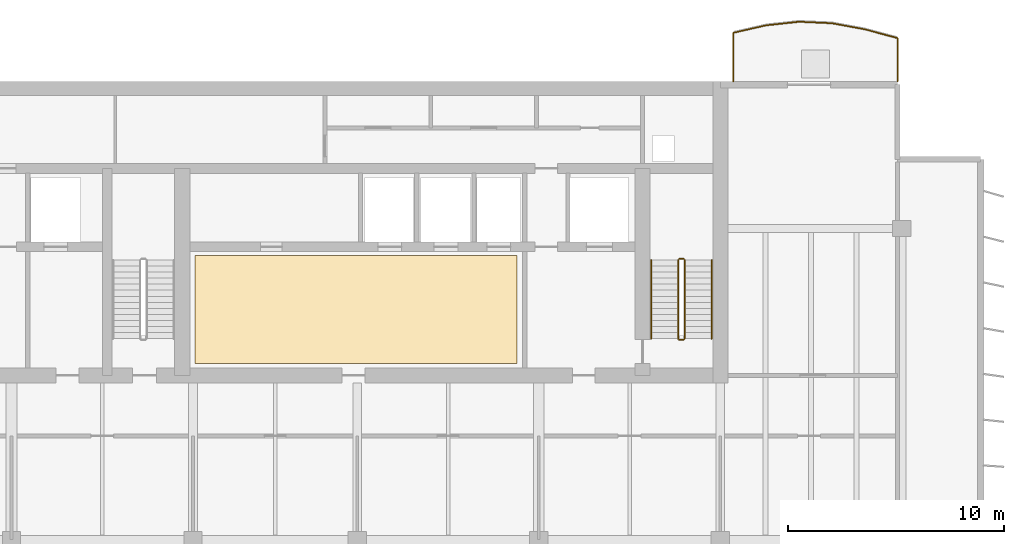
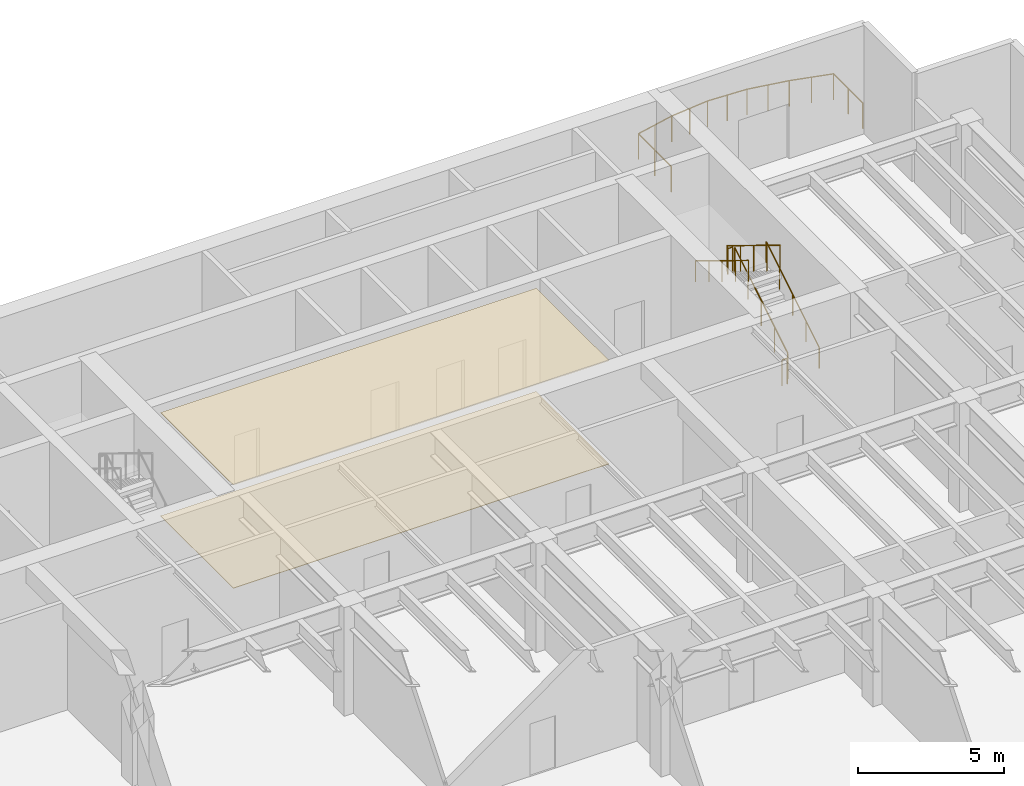
# One storey, part 14 of 15: 7 railings, 2 coverings.
"""IFC4 building model written with IfcOpenShell, lengths in metres."""

from ifc_helpers import new_model, si_unit, direction, frame, origin, origin_2d, place, context, subcontext, project, spatial, polyline, circle, outline, extrude, material, layer, layer_set, type_object, element, save


model = new_model("IFC4")

# Units and contexts
model_context = context("Model", 3, precision=1e-05, world=origin(), true_north=direction((0.0, 1.0)))
body_context = subcontext(model_context, "Body", "Model", "MODEL_VIEW")
ifc_project = project(units=[si_unit("LENGTHUNIT", "METRE"), si_unit("AREAUNIT", "SQUARE_METRE"), si_unit("VOLUMEUNIT", "CUBIC_METRE"), si_unit("PLANEANGLEUNIT", "RADIAN"), si_unit("MASSUNIT", "GRAM", prefix="KILO")], contexts=[model_context])

# Site, building, storey
site_placement = place(None, origin())
site = spatial("IfcSite", under=ifc_project, at=site_placement, CompositionType="ELEMENT")
building_placement = place(site_placement, origin())
building = spatial("IfcBuilding", under=site, at=building_placement, Name="Caelmar Bay Residences", CompositionType="ELEMENT")
storey_placement = place(building_placement, frame((0.0, 0.0, 183.60009765625)))
storey = spatial("IfcBuildingStorey", under=building, at=storey_placement, Name="L51", CompositionType="ELEMENT", Elevation=183.60009765625)

# Coverings
ifc_material_1 = material(Name="Perforated acoustic gypsum-mineral ceiling tile 20 mm")
ifc_layer_1 = layer(ifc_material_1, 0.02001953125)
ifc_layer_set_1 = layer_set([ifc_layer_1], Name="Perforated acoustic gypsum-mineral ceiling tile 20 mm")
covering_type_1 = type_object("IfcCoveringType", Name="COV-CEIL-20", PredefinedType="CEILING", material=ifc_layer_set_1)
covering_1_placement = place(storey_placement, frame((0.0, 0.0, 4.329833984375)))
element("IfcCovering", 1, at=covering_1_placement, inside=storey, type_object=covering_type_1, Name="L51 Lift Lobby Acoustic Ceiling", PredefinedType="CEILING", context=body_context, shape_type="SweptSolid", body=[
    extrude(outline(polyline([(35.199951171875, 37.550048828125), (50.10009765625, 37.550048828125), (50.10009765625, 42.550048828125), (35.199951171875, 42.550048828125), (35.199951171875, 37.550048828125)])), origin(), (0.0, 0.0, 1.0), 0.02001953125),
])
ifc_material_2 = material(Name="Honed terrazzo and engineered white-oak flooring 20 mm")
ifc_layer_2 = layer(ifc_material_2, 0.02001953125)
ifc_layer_set_2 = layer_set([ifc_layer_2], Name="Honed terrazzo and engineered white-oak flooring 20 mm")
covering_type_2 = type_object("IfcCoveringType", Name="COV-FLR-20", PredefinedType="FLOORING", material=ifc_layer_set_2)
covering_2_placement = place(storey_placement, origin())
element("IfcCovering", 2, at=covering_2_placement, inside=storey, type_object=covering_type_2, Name="L51 Lift Lobby Terrazzo Flooring", PredefinedType="FLOORING", context=body_context, shape_type="SweptSolid", body=[
    extrude(outline(polyline([(35.199951171875, 37.550048828125), (50.10009765625, 37.550048828125), (50.10009765625, 42.550048828125), (35.199951171875, 42.550048828125), (35.199951171875, 37.550048828125)])), origin(), (0.0, 0.0, 1.0), 0.02001953125),
])

# Railings
ifc_material_3 = material(Name="Anodised bronze handrail with laminated hurricane glass infill", Category="glass")
railing_type_1 = type_object("IfcRailingType", Name="RL-BAL-1100", PredefinedType="BALUSTRADE", material=ifc_material_3)
railing_1_placement = place(storey_placement, frame((67.699951171875, 50.60009765625, 0.0)))
element("IfcRailing", 3, at=railing_1_placement, inside=storey, type_object=railing_type_1, Name="L51 north_east Balcony Balustrade", PredefinedType="BALUSTRADE", context=body_context, shape_type="SweptSolid", body=[
    extrude(circle(Radius=0.02392578125, at=origin_2d()), frame((0.0, 0.0, 1.076171875), z_axis=(0.0, 1.0, 0.0), x_axis=(-1.0, 0.0, 0.0)), (0.0, 0.0, 1.0), 2.0087890625),
    extrude(circle(Radius=0.02392578125, at=origin_2d()), frame((0.0, 2.0087890625, 1.076171875), z_axis=(-0.966206600501, 0.25776889872, 0.0), x_axis=(-0.25776889872, -0.966206600501, 0.0)), (0.0, 0.0, 1.0), 1.5732421875),
    extrude(circle(Radius=0.02392578125, at=origin_2d()), frame((-1.52001953125, 2.414306640625, 1.076171875), z_axis=(-0.983309224326, 0.181942214331, 0.0), x_axis=(-0.181942214331, -0.983309224326, 0.0)), (0.0, 0.0, 1.0), 1.5458984375),
    extrude(circle(Radius=0.02392578125, at=origin_2d()), frame((-3.0400390625, 2.695556640625, 1.076171875), z_axis=(-0.998975805625, 0.045247538899, 0.0), x_axis=(-0.045247538899, -0.998975805625, 0.0)), (0.0, 0.0, 1.0), 1.521484375),
    extrude(circle(Radius=0.02392578125, at=origin_2d()), frame((-4.56005859375, 2.764404296875, 1.076171875), z_axis=(-0.994138121061, -0.108117511319, 0.0), x_axis=(0.108117511319, -0.994138121061, 0.0)), (0.0, 0.0, 1.0), 1.52880859375),
    extrude(circle(Radius=0.02392578125, at=origin_2d()), frame((-6.079833984375, 2.59912109375, 1.076171875), z_axis=(-0.974861421848, -0.222812046786, 0.0), x_axis=(0.222812046786, -0.974861421848, 0.0)), (0.0, 0.0, 1.0), 1.559326171875),
    extrude(circle(Radius=0.02392578125, at=origin_2d()), frame((-7.599853515625, 2.251708984375, 1.076171875), z_axis=(0.0, -1.0, 0.0), x_axis=(1.0, 0.0, 0.0)), (0.0, 0.0, 1.0), 2.251708984375),
    extrude(circle(Radius=0.02099609375, at=origin_2d()), origin(), (0.0, 0.0, 1.0), 1.052001953125),
    extrude(circle(Radius=0.02099609375, at=origin_2d()), frame((0.0, 1.00439453125, 0.0)), (0.0, 0.0, 1.0), 1.052001953125),
    extrude(circle(Radius=0.02099609375, at=origin_2d()), frame((0.0, 2.0087890625, 0.0)), (0.0, 0.0, 1.0), 1.052001953125),
    extrude(circle(Radius=0.02099609375, at=origin_2d()), frame((-0.760009765625, 2.21142578125, 0.0)), (0.0, 0.0, 1.0), 1.052001953125),
    extrude(circle(Radius=0.02099609375, at=origin_2d()), frame((-1.52001953125, 2.414306640625, 0.0)), (0.0, 0.0, 1.0), 1.052001953125),
    extrude(circle(Radius=0.02099609375, at=origin_2d()), frame((-2.280029296875, 2.554931640625, 0.0)), (0.0, 0.0, 1.0), 1.052001953125),
    extrude(circle(Radius=0.02099609375, at=origin_2d()), frame((-3.0400390625, 2.695556640625, 0.0)), (0.0, 0.0, 1.0), 1.052001953125),
    extrude(circle(Radius=0.02099609375, at=origin_2d()), frame((-3.800048828125, 2.72998046875, 0.0)), (0.0, 0.0, 1.0), 1.052001953125),
    extrude(circle(Radius=0.02099609375, at=origin_2d()), frame((-4.56005859375, 2.764404296875, 0.0)), (0.0, 0.0, 1.0), 1.052001953125),
    extrude(circle(Radius=0.02099609375, at=origin_2d()), frame((-5.31982421875, 2.681640625, 0.0)), (0.0, 0.0, 1.0), 1.052001953125),
    extrude(circle(Radius=0.02099609375, at=origin_2d()), frame((-6.079833984375, 2.59912109375, 0.0)), (0.0, 0.0, 1.0), 1.052001953125),
    extrude(circle(Radius=0.02099609375, at=origin_2d()), frame((-6.83984375, 2.42529296875, 0.0)), (0.0, 0.0, 1.0), 1.052001953125),
    extrude(circle(Radius=0.02099609375, at=origin_2d()), frame((-7.599853515625, 2.251708984375, 0.0)), (0.0, 0.0, 1.0), 1.052001953125),
    extrude(circle(Radius=0.02099609375, at=origin_2d()), frame((-7.599853515625, 1.1259765625, 0.0)), (0.0, 0.0, 1.0), 1.052001953125),
    extrude(circle(Radius=0.02099609375, at=origin_2d()), frame((-7.599853515625, 0.0, 0.0)), (0.0, 0.0, 1.0), 1.052001953125),
])
ifc_material_4 = material(Name="Painted galvanized steel stair guard 1100 mm", Category="steel")
railing_type_2 = type_object("IfcRailingType", Name="RL-GRD-1100", PredefinedType="GUARDRAIL", material=ifc_material_4)
railing_2_placement = place(storey_placement, frame((57.85009765625, 38.699951171875, 0.17138671875)))
element("IfcRailing", 4, at=railing_2_placement, inside=storey, type_object=railing_type_2, Name="L51 ST2 stair guard 1", PredefinedType="GUARDRAIL", context=body_context, shape_type="SweptSolid", body=[
    extrude(circle(Radius=0.02392578125, at=origin_2d()), frame((0.0, 0.0, 1.076171875), z_axis=(0.0, 0.852865859571, 0.52213008492), x_axis=(-1.0, 0.0, 0.0)), (0.0, 0.0, 1.0), 4.26806640625),
    extrude(circle(Radius=0.02099609375, at=origin_2d()), origin(), (0.0, 0.0, 1.0), 1.052001953125),
    extrude(circle(Radius=0.02099609375, at=origin_2d()), frame((0.0, 0.91015625, 0.55712890625)), (0.0, 0.0, 1.0), 1.052001953125),
    extrude(circle(Radius=0.02099609375, at=origin_2d()), frame((0.0, 1.820068359375, 1.1142578125)), (0.0, 0.0, 1.0), 1.052001953125),
    extrude(circle(Radius=0.02099609375, at=origin_2d()), frame((0.0, 2.72998046875, 1.67138671875)), (0.0, 0.0, 1.0), 1.052001953125),
    extrude(circle(Radius=0.02099609375, at=origin_2d()), frame((0.0, 3.64013671875, 2.228515625)), (0.0, 0.0, 1.0), 1.052001953125),
])
railing_3_placement = place(storey_placement, frame((57.800048828125, 42.389892578125, 2.39990234375)))
element("IfcRailing", 5, at=railing_3_placement, inside=storey, type_object=railing_type_2, Name="L51 ST2 stair guard 2", PredefinedType="GUARDRAIL", context=body_context, shape_type="SweptSolid", body=[
    extrude(circle(Radius=0.02392578125, at=origin_2d()), frame((0.0, 0.0, 1.076171875), z_axis=(-1.0, 0.0, 0.0), x_axis=(0.0, -1.0, 0.0)), (0.0, 0.0, 1.0), 0.199951171875),
    extrude(circle(Radius=0.02099609375, at=origin_2d()), origin(), (0.0, 0.0, 1.0), 1.052001953125),
    extrude(circle(Radius=0.02099609375, at=origin_2d()), frame((-0.199951171875, 0.0, 0.0)), (0.0, 0.0, 1.0), 1.052001953125),
])
railing_4_placement = place(storey_placement, frame((57.550048828125, 42.340087890625, 2.5712890625)))
element("IfcRailing", 6, at=railing_4_placement, inside=storey, type_object=railing_type_2, Name="L51 ST2 stair guard 3", PredefinedType="GUARDRAIL", context=body_context, shape_type="SweptSolid", body=[
    extrude(circle(Radius=0.02392578125, at=origin_2d()), frame((0.0, 0.0, 1.076171875), z_axis=(0.0, -0.852865859571, 0.52213008492), x_axis=(1.0, 0.0, 0.0)), (0.0, 0.0, 1.0), 4.26806640625),
    extrude(circle(Radius=0.02099609375, at=origin_2d()), origin(), (0.0, 0.0, 1.0), 1.052001953125),
    extrude(circle(Radius=0.02099609375, at=origin_2d()), frame((0.0, -0.91015625, 0.55712890625)), (0.0, 0.0, 1.0), 1.052001953125),
    extrude(circle(Radius=0.02099609375, at=origin_2d()), frame((0.0, -1.820068359375, 1.1142578125)), (0.0, 0.0, 1.0), 1.052001953125),
    extrude(circle(Radius=0.02099609375, at=origin_2d()), frame((0.0, -2.72998046875, 1.67138671875)), (0.0, 0.0, 1.0), 1.052001953125),
    extrude(circle(Radius=0.02099609375, at=origin_2d()), frame((0.0, -3.64013671875, 2.228515625)), (0.0, 0.0, 1.0), 1.052001953125),
])
railing_5_placement = place(storey_placement, frame((57.800048828125, 38.64990234375, 0.0)))
element("IfcRailing", 7, at=railing_5_placement, inside=storey, type_object=railing_type_2, Name="L51 ST2 stair guard 4", PredefinedType="GUARDRAIL", context=body_context, shape_type="SweptSolid", body=[
    extrude(circle(Radius=0.02392578125, at=origin_2d()), frame((0.0, 0.0, 1.076171875), z_axis=(-1.0, 0.0, 0.0), x_axis=(0.0, -1.0, 0.0)), (0.0, 0.0, 1.0), 0.199951171875),
    extrude(circle(Radius=0.02099609375, at=origin_2d()), origin(), (0.0, 0.0, 1.0), 1.052001953125),
    extrude(circle(Radius=0.02099609375, at=origin_2d()), frame((-0.199951171875, 0.0, 0.0)), (0.0, 0.0, 1.0), 1.052001953125),
])
ifc_material_5 = material(Name="Brushed bronze stainless-steel tubular handrail 900 mm", Category="steel")
railing_type_3 = type_object("IfcRailingType", Name="RL-HND-900", PredefinedType="HANDRAIL", material=ifc_material_5)
railing_6_placement = place(storey_placement, frame((59.10009765625, 38.699951171875, 0.17138671875)))
element("IfcRailing", 8, at=railing_6_placement, inside=storey, type_object=railing_type_3, Name="L51 ST2 stair handrail 1", PredefinedType="HANDRAIL", context=body_context, shape_type="SweptSolid", body=[
    extrude(circle(Radius=0.02392578125, at=origin_2d()), frame((0.0, 0.0, 0.8759765625), z_axis=(0.0, 0.852865859571, 0.52213008492), x_axis=(-1.0, 0.0, 0.0)), (0.0, 0.0, 1.0), 4.26806640625),
    extrude(circle(Radius=0.02099609375, at=origin_2d()), origin(), (0.0, 0.0, 1.0), 0.851806640625),
    extrude(circle(Radius=0.02099609375, at=origin_2d()), frame((0.0, 0.91015625, 0.55712890625)), (0.0, 0.0, 1.0), 0.851806640625),
    extrude(circle(Radius=0.02099609375, at=origin_2d()), frame((0.0, 1.820068359375, 1.1142578125)), (0.0, 0.0, 1.0), 0.851806640625),
    extrude(circle(Radius=0.02099609375, at=origin_2d()), frame((0.0, 2.72998046875, 1.67138671875)), (0.0, 0.0, 1.0), 0.851806640625),
    extrude(circle(Radius=0.02099609375, at=origin_2d()), frame((0.0, 3.64013671875, 2.228515625)), (0.0, 0.0, 1.0), 0.851806640625),
])
railing_7_placement = place(storey_placement, frame((56.300048828125, 42.340087890625, 2.5712890625)))
element("IfcRailing", 9, at=railing_7_placement, inside=storey, type_object=railing_type_3, Name="L51 ST2 stair handrail 2", PredefinedType="HANDRAIL", context=body_context, shape_type="SweptSolid", body=[
    extrude(circle(Radius=0.02392578125, at=origin_2d()), frame((0.0, 0.0, 0.8759765625), z_axis=(0.0, -0.852865859571, 0.52213008492), x_axis=(1.0, 0.0, 0.0)), (0.0, 0.0, 1.0), 4.26806640625),
    extrude(circle(Radius=0.02099609375, at=origin_2d()), origin(), (0.0, 0.0, 1.0), 0.851806640625),
    extrude(circle(Radius=0.02099609375, at=origin_2d()), frame((0.0, -0.91015625, 0.55712890625)), (0.0, 0.0, 1.0), 0.851806640625),
    extrude(circle(Radius=0.02099609375, at=origin_2d()), frame((0.0, -1.820068359375, 1.1142578125)), (0.0, 0.0, 1.0), 0.851806640625),
    extrude(circle(Radius=0.02099609375, at=origin_2d()), frame((0.0, -2.72998046875, 1.67138671875)), (0.0, 0.0, 1.0), 0.851806640625),
    extrude(circle(Radius=0.02099609375, at=origin_2d()), frame((0.0, -3.64013671875, 2.228515625)), (0.0, 0.0, 1.0), 0.851806640625),
])

save(model, "model.ifc")
